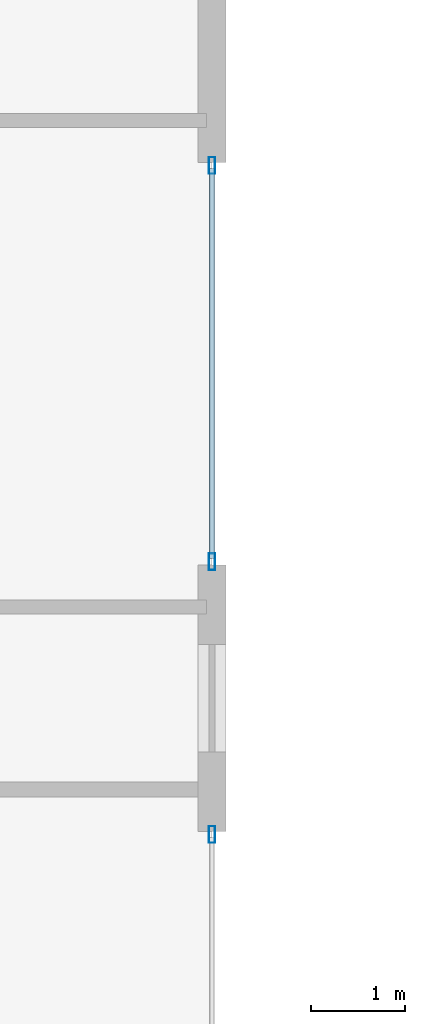
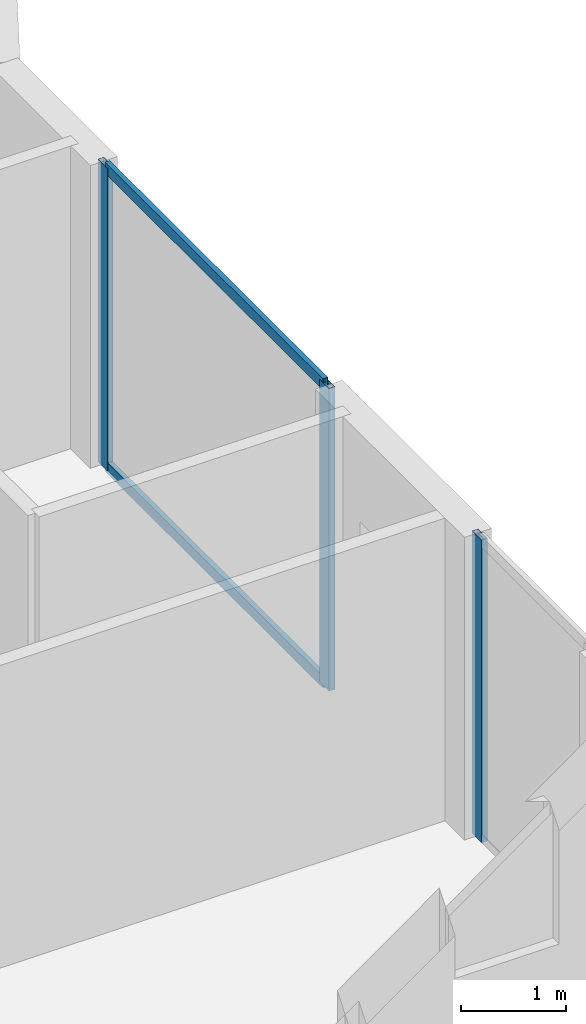
# One storey, part 14 of 33: 5 members, 2 elements without a shape of their own.
"""IFC4 building model written with IfcOpenShell, lengths in metres."""

import ifcopenshell
import ifcopenshell.guid

model = None  # the IFC model being written
_history = None  # IfcOwnerHistory: only IFC2X3 demands one
_inside = {}  # id of a spatial element -> (the spatial element, [elements in it])
_under = {}  # id of a project, library or spatial element -> (it, [spatial elements below it])
_declared = {}  # id of a project -> (the project, [libraries it declares])
_typed = {}  # id of a type object -> (the type object, [elements of that type])
_made_of = {}  # id of a material, layer set ... -> (it, [elements and type objects made of it])


def new_model(schema):
    """Start an empty IFC model of exactly this schema.

    Asked for "IFC4X3", IfcOpenShell would pick the latest addendum, in which some entities
    have other attributes; the version numbers below select the first issue.
    IFC2X3 requires an IfcOwnerHistory on every rooted entity: one is made here for all.
    """
    global model, _history
    if schema == "IFC4X3":
        model = ifcopenshell.file(schema_version=(4, 3, 0, 0))
    else:
        model = ifcopenshell.file(schema=schema)
    _inside.clear()
    _under.clear()
    _declared.clear()
    _typed.clear()
    _made_of.clear()
    _history = None
    if model.schema == "IFC2X3":
        org = make("IfcOrganization", Name="unknown")
        user = make(
            "IfcPersonAndOrganization",
            ThePerson=make("IfcPerson", FamilyName="unknown"),
            TheOrganization=org,
        )
        app = make(
            "IfcApplication",
            ApplicationDeveloper=org,
            Version="unknown",
            ApplicationFullName="unknown",
            ApplicationIdentifier="unknown",
        )
        _history = make(
            "IfcOwnerHistory",
            OwningUser=user,
            OwningApplication=app,
            ChangeAction="ADDED",
            CreationDate=0,
        )
    return model


def make(cls, **values):
    """One entity of the class cls with the attributes given. An attribute that is None is left unset."""
    return model.create_entity(
        cls, **{name: value for name, value in values.items() if value is not None}
    )


def rooted(cls, **values):
    """An entity with a GlobalId (a new one), such as an element, a storey or a relation."""
    return make(cls, GlobalId=ifcopenshell.guid.new(), OwnerHistory=_history, **values)


def si_unit(unit_type, name, prefix=None):
    """IfcSIUnit, for example si_unit("LENGTHUNIT", "METRE", prefix="MILLI")."""
    return make("IfcSIUnit", UnitType=unit_type, Prefix=prefix, Name=name)


def assignment(units):
    """IfcUnitAssignment: the units of a project."""
    return None if units is None else make("IfcUnitAssignment", Units=units)


def point(xyz):
    """IfcCartesianPoint."""
    return None if xyz is None else make("IfcCartesianPoint", Coordinates=xyz)


def direction(xyz):
    """IfcDirection."""
    return None if xyz is None else make("IfcDirection", DirectionRatios=xyz)


def frame(location, z_axis=None, x_axis=None):
    """IfcAxis2Placement3D, a coordinate frame: its origin and axes. An axis left out is left unset."""
    return make(
        "IfcAxis2Placement3D",
        Location=point(location),
        Axis=direction(z_axis),
        RefDirection=direction(x_axis),
    )


def frame_2d(location, x_axis=None):
    """IfcAxis2Placement2D, a coordinate frame in the plane: its origin and x axis."""
    return make(
        "IfcAxis2Placement2D", Location=point(location), RefDirection=direction(x_axis)
    )


def origin():
    """The frame at (0, 0, 0) with its axes left unset."""
    return frame((0.0, 0.0, 0.0))


def origin_2d():
    """The frame at (0, 0) in the plane with its x axis left unset."""
    return frame_2d((0.0, 0.0))


def place(relative_to, where):
    """IfcLocalPlacement: puts the frame where relative to a parent placement (None: the world)."""
    return make(
        "IfcLocalPlacement", PlacementRelTo=relative_to, RelativePlacement=where
    )


def context(
    kind, dimensions, precision=None, world=None, true_north=None, identifier=None
):
    """IfcGeometricRepresentationContext, for example the 3D "Model" context."""
    return make(
        "IfcGeometricRepresentationContext",
        ContextIdentifier=identifier,
        ContextType=kind,
        CoordinateSpaceDimension=dimensions,
        Precision=precision,
        WorldCoordinateSystem=world,
        TrueNorth=true_north,
    )


def subcontext(parent, identifier, kind, view, scale=None):
    """IfcGeometricRepresentationSubContext, for example "Body" below "Model"."""
    return make(
        "IfcGeometricRepresentationSubContext",
        ContextIdentifier=identifier,
        ContextType=kind,
        ParentContext=parent,
        TargetScale=scale,
        TargetView=view,
    )


def project(units=None, contexts=None):
    """IfcProject with its units and contexts."""
    return rooted(
        "IfcProject",
        Name="project",
        RepresentationContexts=contexts,
        UnitsInContext=assignment(units),
    )


def spatial(cls, under=None, at=None, **own):
    """A site, building, storey or space (cls), placed at a placement, below another one or the project."""
    s = rooted(cls, ObjectPlacement=at, **own)
    if under is not None:
        _under.setdefault(under.id(), (under, []))[1].append(s)
    return s


def profile(cls, at=None, kind="AREA", **sizes):
    """A parametric profile (cls). Its sizes go by their IFC names, for example OverallWidth=200.0."""
    return make(cls, ProfileType=kind, Position=at, **sizes)


def hollow_rectangle(**sizes):
    """IfcRectangleHollowProfileDef."""
    return profile("IfcRectangleHollowProfileDef", **sizes)


def extrude(swept, where, along, depth):
    """IfcExtrudedAreaSolid: the profile swept, set in the frame where, extruded along a direction by depth."""
    return make(
        "IfcExtrudedAreaSolid",
        SweptArea=swept,
        Position=where,
        ExtrudedDirection=direction(along),
        Depth=depth,
    )


def shape(context_of_items, identifier, shape_type, items):
    """IfcShapeRepresentation: the items that make up one representation, for example the "Body"."""
    return make(
        "IfcShapeRepresentation",
        ContextOfItems=context_of_items,
        RepresentationIdentifier=identifier,
        RepresentationType=shape_type,
        Items=items,
    )


def material(Name=None, Category=None):
    """IfcMaterial."""
    return make("IfcMaterial", Name=Name, Category=Category)


def layer(
    of_material, thickness, ventilated=None, Name=None, Category=None, Priority=None
):
    """IfcMaterialLayer: one layer of a wall or slab, of a material (None: an air gap)."""
    return make(
        "IfcMaterialLayer",
        Material=of_material,
        LayerThickness=thickness,
        IsVentilated=ventilated,
        Name=Name,
        Category=Category,
        Priority=Priority,
    )


def layer_set(layers, Name=None):
    """IfcMaterialLayerSet."""
    return make("IfcMaterialLayerSet", MaterialLayers=layers, LayerSetName=Name)


def material_profile(
    of_material, cross_section, Name=None, Category=None, Priority=None
):
    """IfcMaterialProfile: a cross section and its material."""
    return make(
        "IfcMaterialProfile",
        Name=Name,
        Material=of_material,
        Profile=cross_section,
        Priority=Priority,
        Category=Category,
    )


def profile_set(profiles, Name=None, composite=None):
    """IfcMaterialProfileSet."""
    return make(
        "IfcMaterialProfileSet",
        Name=Name,
        MaterialProfiles=profiles,
        CompositeProfile=composite,
    )


def made_of(thing, what):
    """Note that an element or type object is made of a material, layer set ...; save() writes the relation."""
    if what is not None:
        _made_of.setdefault(what.id(), (what, []))[1].append(thing)
    return thing


def type_object(cls, material=None, **own):
    """A type object (cls), such as IfcWallType, which elements share."""
    return made_of(rooted(cls, **own), material)


def element(
    cls,
    number,
    at=None,
    inside=None,
    cuts=None,
    type_object=None,
    material=None,
    context=None,
    identifier="Body",
    shape_type=None,
    held_by="IfcProductDefinitionShape",
    body=None,
    shapes=None,
    **own,
):
    """One element of the class cls, such as IfcWall. Its Tag is "e" and its number.

    at: its placement. inside: the storey or other place that contains it. cuts: it is an
    opening in that element (IfcRelVoidsElement). A single representation is given by context,
    identifier, shape_type and body (its items); several are given by shapes. held_by: the class
    of the entity that holds the representations. save() writes the other relations.
    """
    e = rooted(cls, Tag="e%d" % number, ObjectPlacement=at, **own)
    if body is not None:
        shapes = [shape(context, identifier, shape_type, body)]
    if shapes is not None:
        e.Representation = make(held_by, Representations=shapes)
    if inside is not None:
        _inside.setdefault(inside.id(), (inside, []))[1].append(e)
    if cuts is not None:
        rooted(
            "IfcRelVoidsElement", RelatingBuildingElement=cuts, RelatedOpeningElement=e
        )
    if type_object is not None:
        _typed.setdefault(type_object.id(), (type_object, []))[1].append(e)
    return made_of(e, material)


def aggregate(whole, parts):
    """IfcRelAggregates: a whole, such as a stair, and the parts it consists of."""
    return rooted("IfcRelAggregates", RelatingObject=whole, RelatedObjects=parts)


def save(model, path):
    """Write the relations noted so far, then the file.

    IfcRelAggregates (storeys below a building ...), IfcRelContainedInSpatialStructure (elements
    in a storey), IfcRelDefinesByType, IfcRelAssociatesMaterial and IfcRelDeclares: one each for
    every whole, place, type object, material and project.
    """
    for whole, parts in _under.values():
        aggregate(whole, parts)
    for where, things in _inside.values():
        rooted(
            "IfcRelContainedInSpatialStructure",
            RelatedElements=things,
            RelatingStructure=where,
        )
    for kind, things in _typed.values():
        rooted("IfcRelDefinesByType", RelatedObjects=things, RelatingType=kind)
    for what, things in _made_of.values():
        rooted("IfcRelAssociatesMaterial", RelatedObjects=things, RelatingMaterial=what)
    for by, libraries in _declared.values():
        rooted("IfcRelDeclares", RelatingContext=by, RelatedDefinitions=libraries)
    model.write(path)


model = new_model("IFC4")

# Units and contexts
model_context = context("Model", 3, precision=1e-05, world=origin(), true_north=direction((0.0, 1.0)))
body_context = subcontext(model_context, "Body", "Model", "MODEL_VIEW")
ifc_project = project(units=[si_unit("LENGTHUNIT", "METRE"), si_unit("AREAUNIT", "SQUARE_METRE"), si_unit("VOLUMEUNIT", "CUBIC_METRE"), si_unit("PLANEANGLEUNIT", "RADIAN"), si_unit("MASSUNIT", "GRAM", prefix="KILO")], contexts=[model_context])

# Site, building, storey
site_placement = place(None, origin())
site = spatial("IfcSite", under=ifc_project, at=site_placement, CompositionType="ELEMENT")
building_placement = place(site_placement, origin())
building = spatial("IfcBuilding", under=site, at=building_placement, Name="Zuhayl Quay Hotel", CompositionType="ELEMENT")
storey_placement = place(building_placement, frame((0.0, 0.0, 199.89990234375)))
storey = spatial("IfcBuildingStorey", under=building, at=storey_placement, Name="L50", CompositionType="ELEMENT", Elevation=199.89990234375)

# Curtain wall, members
ifc_material_1 = material(Name="Anodised Aluminium 6063-T6", Category="aluminium")
ifc_layer = layer(ifc_material_1, 0.175048828125, Name="Anodised Aluminium 6063-T6", Category="aluminium")
ifc_layer_set = layer_set([ifc_layer], Name="Anodised Aluminium 6063-T6")
curtain_wall_type = type_object("IfcCurtainWallType", Name="CW_SYS_Z3", PredefinedType="USERDEFINED", material=ifc_layer_set)
curtain_wall_1_placement = place(storey_placement, origin())
curtain_wall_1 = element("IfcCurtainWall", 1, at=curtain_wall_1_placement, inside=storey, type_object=curtain_wall_type, Name="L50 Curtain Wall ENV_L50_E14_CW1", ObjectType="UNITISED CURTAIN WALL", PredefinedType="USERDEFINED")
ifc_material_2 = material(Name="Black-anodised aluminium 6063-T6", Category="aluminium")
ifc_material_profile_1 = material_profile(ifc_material_2, hollow_rectangle(XDim=0.06494140625, YDim=0.179931640625, WallThickness=0.00341796875, at=origin_2d()), Name="ALU180X65")
ifc_profile_set_1 = profile_set([ifc_material_profile_1], Name="Black-anodised aluminium 6063-T6")
member_type_1 = type_object("IfcMemberType", Name="MB_CW_MUL_180", PredefinedType="MULLION", material=ifc_profile_set_1)
member_1_placement = place(storey_placement, frame((22.10009765625, 6.267578125, 0.0), z_axis=(0.0, 0.0, 1.0), x_axis=(1.0, 0.0, 0.0)))
member_1 = element("IfcMember", 2, at=member_1_placement, type_object=member_type_1, Name="CW-Z3 mullion 1", PredefinedType="MULLION", context=body_context, shape_type="SweptSolid", body=[
    extrude(hollow_rectangle(XDim=0.06494140625, YDim=0.179931640625, WallThickness=0.00341796875, at=origin_2d()), origin(), (0.0, 0.0, 1.0), 3.530029296875),
])
member_2_placement = place(storey_placement, frame((22.10009765625, 2.032470703125, 0.0), z_axis=(0.0, 0.0, 1.0), x_axis=(1.0, 0.0, 0.0)))
member_2 = element("IfcMember", 3, at=member_2_placement, type_object=member_type_1, Name="CW-Z3 mullion 2", PredefinedType="MULLION", context=body_context, shape_type="SweptSolid", body=[
    extrude(hollow_rectangle(XDim=0.06494140625, YDim=0.179931640625, WallThickness=0.00341796875, at=origin_2d()), origin(), (0.0, 0.0, 1.0), 3.530029296875),
])

# Curtain wall, member
curtain_wall_2_placement = place(storey_placement, origin())
curtain_wall_2 = element("IfcCurtainWall", 4, at=curtain_wall_2_placement, inside=storey, type_object=curtain_wall_type, Name="L50 Curtain Wall ENV_L50_E14_CW2", ObjectType="UNITISED CURTAIN WALL", PredefinedType="USERDEFINED")
member_3_placement = place(storey_placement, frame((22.10009765625, -0.882568359375, 0.0), z_axis=(0.0, 0.0, 1.0), x_axis=(1.0, 0.0, 0.0)))
member_3 = element("IfcMember", 5, at=member_3_placement, type_object=member_type_1, Name="CW-Z3 mullion 1", PredefinedType="MULLION", context=body_context, shape_type="SweptSolid", body=[
    extrude(hollow_rectangle(XDim=0.06494140625, YDim=0.179931640625, WallThickness=0.00341796875, at=origin_2d()), origin(), (0.0, 0.0, 1.0), 3.530029296875),
])
aggregate(curtain_wall_2, [member_3])

# Member
ifc_material_profile_2 = material_profile(ifc_material_2, hollow_rectangle(XDim=0.054931640625, YDim=0.1298828125, WallThickness=0.0029296875, at=origin_2d()), Name="ALU130X55")
ifc_profile_set_2 = profile_set([ifc_material_profile_2], Name="Black-anodised aluminium 6063-T6")
member_type_2 = type_object("IfcMemberType", Name="MB_CW_TRN_130", PredefinedType="USERDEFINED", material=ifc_profile_set_2)
member_4_placement = place(storey_placement, frame((22.10009765625, 6.235107421875, 0.027587890625), z_axis=(0.0, -1.0, 0.0), x_axis=(1.0, 0.0, 0.0)))
member_4 = element("IfcMember", 6, at=member_4_placement, type_object=member_type_2, Name="CW-Z3 transom 1.1", ObjectType="TRANSOM", PredefinedType="USERDEFINED", context=body_context, shape_type="SweptSolid", body=[
    extrude(hollow_rectangle(XDim=0.054931640625, YDim=0.1298828125, WallThickness=0.0029296875, at=origin_2d()), origin(), (0.0, 0.0, 1.0), 4.170166015625),
])

member_5_placement = place(storey_placement, frame((22.10009765625, 6.235107421875, 3.502685546875), z_axis=(0.0, -1.0, 0.0), x_axis=(1.0, 0.0, 0.0)))
member_5 = element("IfcMember", 7, at=member_5_placement, type_object=member_type_2, Name="CW-Z3 transom 1.2", ObjectType="TRANSOM", PredefinedType="USERDEFINED", context=body_context, shape_type="SweptSolid", body=[
    extrude(hollow_rectangle(XDim=0.054931640625, YDim=0.1298828125, WallThickness=0.0029296875, at=origin_2d()), origin(), (0.0, 0.0, 1.0), 4.170166015625),
])

aggregate(curtain_wall_1, [member_1, member_2, member_4, member_5])

save(model, "model.ifc")
